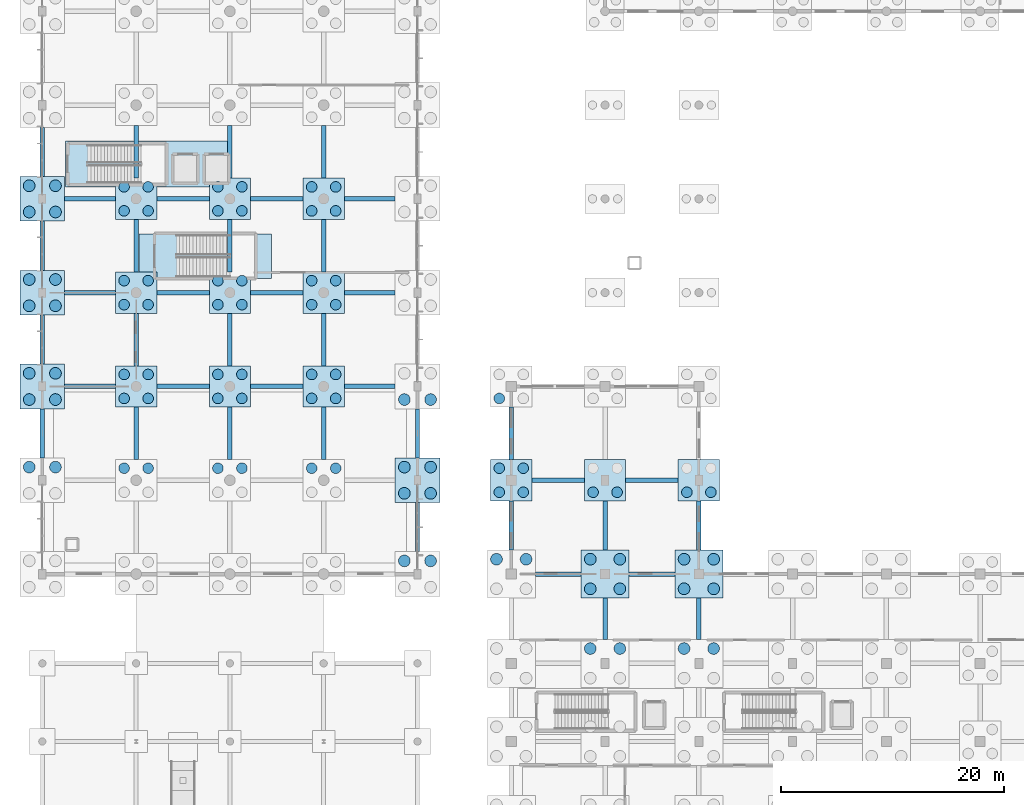
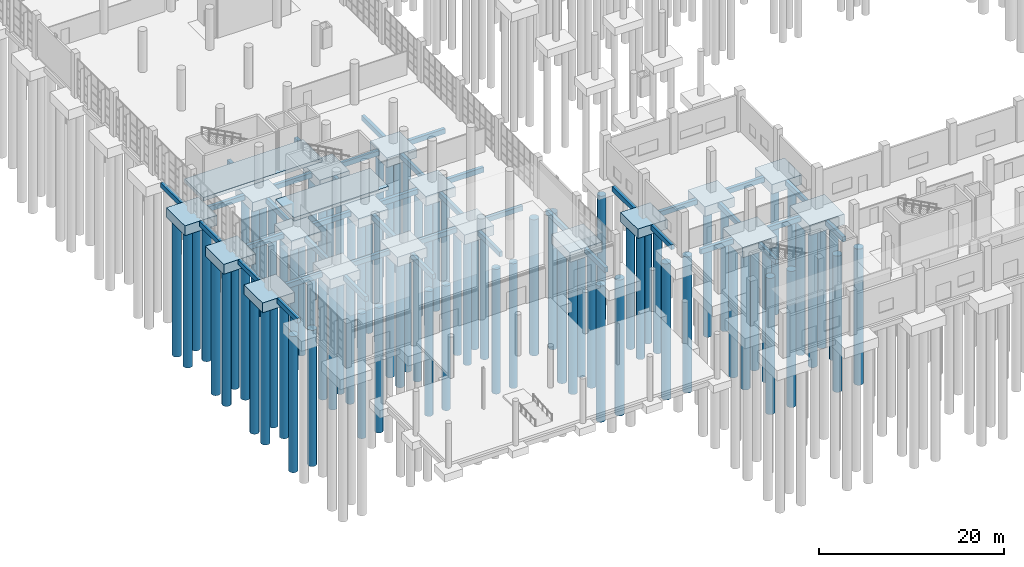
# One storey, part 2 of 83: 87 piles, 60 footings.
"""IFC4 building model written with IfcOpenShell, lengths in metres."""

from ifc_helpers import new_model, si_unit, direction, frame, origin, origin_2d, place, context, subcontext, project, spatial, rectangle, circle, extrude, material, material_profile, profile_set, type_object, element, save


model = new_model("IFC4")

# Units and contexts
model_context = context("Model", 3, precision=1e-05, world=origin(), true_north=direction((0.0, 1.0)))
body_context = subcontext(model_context, "Body", "Model", "MODEL_VIEW")
ifc_project = project(units=[si_unit("LENGTHUNIT", "METRE"), si_unit("AREAUNIT", "SQUARE_METRE"), si_unit("VOLUMEUNIT", "CUBIC_METRE"), si_unit("PLANEANGLEUNIT", "RADIAN"), si_unit("MASSUNIT", "GRAM", prefix="KILO"), si_unit("THERMODYNAMICTEMPERATUREUNIT", "KELVIN"), si_unit("POWERUNIT", "WATT")], contexts=[model_context])

# Site, building, storey
site_placement = place(None, origin())
site = spatial("IfcSite", under=ifc_project, at=site_placement, CompositionType="ELEMENT")
building_placement = place(site_placement, origin())
building = spatial("IfcBuilding", under=site, at=building_placement, Name="Mavoryth Pier Ferry Terminal", CompositionType="ELEMENT")
storey_placement = place(building_placement, origin())
storey = spatial("IfcBuildingStorey", under=building, at=storey_placement, Name="L00", CompositionType="ELEMENT", Elevation=0.0)

# Footings
ifc_material = material(Name="Concrete C35/45", Category="concrete")
footing_type_1 = type_object("IfcFootingType", Name="Cap-4P-3700x3700x1250", PredefinedType="PILE_CAP", material=ifc_material)
for number, where, z_axis, x_axis, name in (
    (1, (8.39990234375, 38.800048828125, -1.7099609375), (0.0, 0.0, 1.0), (1.0, 0.0, 0.0), "Foundation FD-V1-2-3"),
    (2, (8.39990234375, 47.199951171875, -1.7099609375), (0.0, 0.0, 1.0), (1.0, 0.0, 0.0), "Foundation FD-V1-2-4"),
    (3, (8.39990234375, 55.60009765625, -1.7099609375), (0.0, 0.0, 1.0), (1.0, 0.0, 0.0), "Foundation FD-V1-2-5"),
    (4, (16.800048828125, 38.800048828125, -1.7099609375), (0.0, 0.0, 1.0), (1.0, 0.0, 0.0), "Foundation FD-V1-3-3"),
    (5, (16.800048828125, 47.199951171875, -1.7099609375), (0.0, 0.0, 1.0), (1.0, 0.0, 0.0), "Foundation FD-V1-3-4"),
    (6, (16.800048828125, 55.60009765625, -1.7099609375), (0.0, 0.0, 1.0), (1.0, 0.0, 0.0), "Foundation FD-V1-3-5"),
    (7, (25.199951171875, 38.800048828125, -1.7099609375), (0.0, 0.0, 1.0), (1.0, 0.0, 0.0), "Foundation FD-V1-4-3"),
    (8, (25.199951171875, 47.199951171875, -1.7099609375), (0.0, 0.0, 1.0), (1.0, 0.0, 0.0), "Foundation FD-V1-4-4"),
    (9, (25.199951171875, 55.60009765625, -1.7099609375), (0.0, 0.0, 1.0), (1.0, 0.0, 0.0), "Foundation FD-V1-4-5"),
    (10, (42.0, 30.39990234375, -1.7099609375), (0.0, 0.0, 1.0), (1.0, 0.0, 0.0), "Foundation FD-V5-29"),
    (11, (50.39990234375, 30.39990234375, -1.7099609375), (0.0, 0.0, 1.0), (1.0, 0.0, 0.0), "Foundation FD-V5-31"),
    (12, (58.800048828125, 30.39990234375, -1.7099609375), (0.0, 0.0, 1.0), (1.0, 0.0, 0.0), "Foundation FD-V5-33"),
):
    element("IfcFooting", number, at=place(storey_placement, frame(where, z_axis=z_axis, x_axis=x_axis)), inside=storey, type_object=footing_type_1, Name=name, PredefinedType="PILE_CAP", context=body_context, shape_type="SweptSolid", body=[
        extrude(rectangle(XDim=3.699951171875, YDim=3.699951171875, at=origin_2d()), origin(), (0.0, 0.0, 1.0), 1.25),
    ])
footing_type_2 = type_object("IfcFootingType", Name="Cap-4P-4000x4000x1300", PredefinedType="PILE_CAP", material=ifc_material)
for number, where, z_axis, x_axis, name in (
    (13, (0.0, 38.800048828125, -1.76025390625), (0.0, 0.0, 1.0), (1.0, 0.0, 0.0), "Foundation FD-V1-1-3"),
    (14, (0.0, 47.199951171875, -1.76025390625), (0.0, 0.0, 1.0), (1.0, 0.0, 0.0), "Foundation FD-V1-1-4"),
    (15, (0.0, 55.60009765625, -1.76025390625), (0.0, 0.0, 1.0), (1.0, 0.0, 0.0), "Foundation FD-V1-1-5"),
    (16, (33.60009765625, 30.39990234375, -1.76025390625), (0.0, 0.0, 1.0), (1.0, 0.0, 0.0), "Foundation FD-V1-5-2"),
):
    element("IfcFooting", number, at=place(storey_placement, frame(where, z_axis=z_axis, x_axis=x_axis)), inside=storey, type_object=footing_type_2, Name=name, PredefinedType="PILE_CAP", context=body_context, shape_type="SweptSolid", body=[
        extrude(rectangle(XDim=4.0, YDim=4.0, at=origin_2d()), origin(), (0.0, 0.0, 1.0), 1.300048828125),
    ])
footing_type_3 = type_object("IfcFootingType", Name="Cap-4P-4300x4300x1350", PredefinedType="PILE_CAP", material=ifc_material)
for number, where, z_axis, x_axis, name in (
    (17, (50.39990234375, 22.0, -1.81005859375), (0.0, 0.0, 1.0), (1.0, 0.0, 0.0), "Foundation FD-V5-08"),
    (18, (58.800048828125, 22.0, -1.81005859375), (0.0, 0.0, 1.0), (1.0, 0.0, 0.0), "Foundation FD-V5-12"),
):
    element("IfcFooting", number, at=place(storey_placement, frame(where, z_axis=z_axis, x_axis=x_axis)), inside=storey, type_object=footing_type_3, Name=name, PredefinedType="PILE_CAP", context=body_context, shape_type="SweptSolid", body=[
        extrude(rectangle(XDim=4.300048828125, YDim=4.300048828125, at=origin_2d()), origin(), (0.0, 0.0, 1.0), 1.35009765625),
    ])
footing_type_4 = type_object("IfcFootingType", Name="Pad-CoreMat-11840x4000x460", PredefinedType="PAD_FOOTING", material=ifc_material)
footing_1_placement = place(storey_placement, frame((14.60009765625, 50.47509765625, -0.4599609375), z_axis=(0.0, 0.0, 1.0), x_axis=(1.0, 0.0, 0.0)))
element("IfcFooting", 19, at=footing_1_placement, inside=storey, type_object=footing_type_4, Name="Feature Stair Foundation Mat FS1", PredefinedType="PAD_FOOTING", context=body_context, shape_type="SweptSolid", body=[
    extrude(rectangle(XDim=11.840087890625, YDim=4.0, at=origin_2d()), origin(), (0.0, 0.0, 1.0), 0.4599609375),
])
footing_type_5 = type_object("IfcFootingType", Name="Pad-CoreMat-14840x4100x460", PredefinedType="PAD_FOOTING", material=ifc_material)
footing_2_placement = place(storey_placement, frame((9.5, 58.72509765625, -0.4599609375), z_axis=(0.0, 0.0, 1.0), x_axis=(1.0, 0.0, 0.0)))
element("IfcFooting", 20, at=footing_2_placement, inside=storey, type_object=footing_type_5, Name="Core Foundation Mat C1A", PredefinedType="PAD_FOOTING", context=body_context, shape_type="SweptSolid", body=[
    extrude(rectangle(XDim=14.840087890625, YDim=4.10009765625, at=origin_2d()), origin(), (0.0, 0.0, 1.0), 0.4599609375),
])

# Piles
ifc_material_profile_1 = material_profile(ifc_material, circle(Radius=0.52490234375, at=origin_2d()), Name="PILE D1050", Category="concrete")
ifc_profile_set_1 = profile_set([ifc_material_profile_1], Name="Concrete C35/45 - PILE D1050")
pile_type_1 = type_object("IfcPileType", Name="Pile-Bored-D1050", PredefinedType="BORED", material=ifc_profile_set_1)
for number, where, z_axis, x_axis, name in (
    (21, (-1.175048828125, 31.574951171875, -1.659912109375), (0.0, 0.0, -1.0), (1.0, 0.0, 0.0), "Bored Pile FD-V1-1-2-P3"),
    (22, (1.175048828125, 31.574951171875, -1.659912109375), (0.0, 0.0, -1.0), (1.0, 0.0, 0.0), "Bored Pile FD-V1-1-2-P4"),
    (23, (-1.175048828125, 37.625, -1.659912109375), (0.0, 0.0, -1.0), (1.0, 0.0, 0.0), "Bored Pile FD-V1-1-3-P1"),
    (24, (1.175048828125, 37.625, -1.659912109375), (0.0, 0.0, -1.0), (1.0, 0.0, 0.0), "Bored Pile FD-V1-1-3-P2"),
    (25, (-1.175048828125, 39.97509765625, -1.659912109375), (0.0, 0.0, -1.0), (1.0, 0.0, 0.0), "Bored Pile FD-V1-1-3-P3"),
    (26, (1.175048828125, 39.97509765625, -1.659912109375), (0.0, 0.0, -1.0), (1.0, 0.0, 0.0), "Bored Pile FD-V1-1-3-P4"),
    (27, (-1.175048828125, 46.02490234375, -1.659912109375), (0.0, 0.0, -1.0), (1.0, 0.0, 0.0), "Bored Pile FD-V1-1-4-P1"),
    (28, (1.175048828125, 46.02490234375, -1.659912109375), (0.0, 0.0, -1.0), (1.0, 0.0, 0.0), "Bored Pile FD-V1-1-4-P2"),
    (29, (-1.175048828125, 48.375, -1.659912109375), (0.0, 0.0, -1.0), (1.0, 0.0, 0.0), "Bored Pile FD-V1-1-4-P3"),
    (30, (1.175048828125, 48.375, -1.659912109375), (0.0, 0.0, -1.0), (1.0, 0.0, 0.0), "Bored Pile FD-V1-1-4-P4"),
    (31, (-1.175048828125, 54.425048828125, -1.659912109375), (0.0, 0.0, -1.0), (1.0, 0.0, 0.0), "Bored Pile FD-V1-1-5-P1"),
    (32, (1.175048828125, 54.425048828125, -1.659912109375), (0.0, 0.0, -1.0), (1.0, 0.0, 0.0), "Bored Pile FD-V1-1-5-P2"),
    (33, (-1.175048828125, 56.77490234375, -1.659912109375), (0.0, 0.0, -1.0), (1.0, 0.0, 0.0), "Bored Pile FD-V1-1-5-P3"),
    (34, (1.175048828125, 56.77490234375, -1.659912109375), (0.0, 0.0, -1.0), (1.0, 0.0, 0.0), "Bored Pile FD-V1-1-5-P4"),
    (35, (32.425048828125, 23.175048828125, -1.659912109375), (0.0, 0.0, -1.0), (1.0, 0.0, 0.0), "Bored Pile FD-V1-5-1-P3"),
    (36, (34.77490234375, 23.175048828125, -1.659912109375), (0.0, 0.0, -1.0), (1.0, 0.0, 0.0), "Bored Pile FD-V1-5-1-P4"),
    (37, (32.425048828125, 29.22509765625, -1.659912109375), (0.0, 0.0, -1.0), (1.0, 0.0, 0.0), "Bored Pile FD-V1-5-2-P1"),
    (38, (34.77490234375, 29.22509765625, -1.659912109375), (0.0, 0.0, -1.0), (1.0, 0.0, 0.0), "Bored Pile FD-V1-5-2-P2"),
    (39, (32.425048828125, 31.574951171875, -1.659912109375), (0.0, 0.0, -1.0), (1.0, 0.0, 0.0), "Bored Pile FD-V1-5-2-P3"),
    (40, (34.77490234375, 31.574951171875, -1.659912109375), (0.0, 0.0, -1.0), (1.0, 0.0, 0.0), "Bored Pile FD-V1-5-2-P4"),
    (41, (32.425048828125, 37.625, -1.659912109375), (0.0, 0.0, -1.0), (1.0, 0.0, 0.0), "Bored Pile FD-V1-5-3-P1"),
    (42, (34.77490234375, 37.625, -1.659912109375), (0.0, 0.0, -1.0), (1.0, 0.0, 0.0), "Bored Pile FD-V1-5-3-P2"),
    (43, (40.675048828125, 23.324951171875, -1.7099609375), (0.0, 0.0, -1.0), (1.0, 0.0, 0.0), "Bored Pile FD-V5-04-P3"),
    (44, (43.324951171875, 23.324951171875, -1.7099609375), (0.0, 0.0, -1.0), (1.0, 0.0, 0.0), "Bored Pile FD-V5-04-P4"),
    (45, (49.074951171875, 15.324951171875, -1.7099609375), (0.0, 0.0, -1.0), (1.0, 0.0, 0.0), "Bored Pile FD-V5-07-P3"),
    (46, (51.72509765625, 15.324951171875, -1.7099609375), (0.0, 0.0, -1.0), (1.0, 0.0, 0.0), "Bored Pile FD-V5-07-P4"),
    (47, (49.074951171875, 20.675048828125, -1.7099609375), (0.0, 0.0, -1.0), (1.0, 0.0, 0.0), "Bored Pile FD-V5-08-P1"),
    (48, (51.72509765625, 20.675048828125, -1.7099609375), (0.0, 0.0, -1.0), (1.0, 0.0, 0.0), "Bored Pile FD-V5-08-P2"),
    (49, (49.074951171875, 23.324951171875, -1.7099609375), (0.0, 0.0, -1.0), (1.0, 0.0, 0.0), "Bored Pile FD-V5-08-P3"),
    (50, (51.72509765625, 23.324951171875, -1.7099609375), (0.0, 0.0, -1.0), (1.0, 0.0, 0.0), "Bored Pile FD-V5-08-P4"),
    (51, (57.47509765625, 15.324951171875, -1.7099609375), (0.0, 0.0, -1.0), (1.0, 0.0, 0.0), "Bored Pile FD-V5-11-P3"),
    (52, (60.125, 15.324951171875, -1.7099609375), (0.0, 0.0, -1.0), (1.0, 0.0, 0.0), "Bored Pile FD-V5-11-P4"),
    (53, (57.47509765625, 20.675048828125, -1.7099609375), (0.0, 0.0, -1.0), (1.0, 0.0, 0.0), "Bored Pile FD-V5-12-P1"),
    (54, (60.125, 20.675048828125, -1.7099609375), (0.0, 0.0, -1.0), (1.0, 0.0, 0.0), "Bored Pile FD-V5-12-P2"),
    (55, (57.47509765625, 23.324951171875, -1.7099609375), (0.0, 0.0, -1.0), (1.0, 0.0, 0.0), "Bored Pile FD-V5-12-P3"),
    (56, (60.125, 23.324951171875, -1.7099609375), (0.0, 0.0, -1.0), (1.0, 0.0, 0.0), "Bored Pile FD-V5-12-P4"),
):
    element("IfcPile", number, at=place(storey_placement, frame(where, z_axis=z_axis, x_axis=x_axis)), inside=storey, type_object=pile_type_1, Name=name, PredefinedType="BORED", context=body_context, shape_type="SweptSolid", body=[
        extrude(circle(Radius=0.52490234375, at=origin_2d()), origin(), (0.0, 0.0, 1.0), 18.0),
    ])
ifc_material_profile_2 = material_profile(ifc_material, circle(Radius=0.47509765625, at=origin_2d()), Name="PILE D950", Category="concrete")
ifc_profile_set_2 = profile_set([ifc_material_profile_2], Name="Concrete C35/45 - PILE D950")
pile_type_2 = type_object("IfcPileType", Name="Pile-Bored-D950", PredefinedType="BORED", material=ifc_profile_set_2)
for number, where, z_axis, x_axis, name in (
    (57, (7.324951171875, 31.47509765625, -1.610107421875), (0.0, 0.0, -1.0), (1.0, 0.0, 0.0), "Bored Pile FD-V1-2-2-P3"),
    (58, (9.47509765625, 31.47509765625, -1.610107421875), (0.0, 0.0, -1.0), (1.0, 0.0, 0.0), "Bored Pile FD-V1-2-2-P4"),
    (59, (7.324951171875, 37.72509765625, -1.610107421875), (0.0, 0.0, -1.0), (1.0, 0.0, 0.0), "Bored Pile FD-V1-2-3-P1"),
    (60, (9.47509765625, 37.72509765625, -1.610107421875), (0.0, 0.0, -1.0), (1.0, 0.0, 0.0), "Bored Pile FD-V1-2-3-P2"),
    (61, (7.324951171875, 39.875, -1.610107421875), (0.0, 0.0, -1.0), (1.0, 0.0, 0.0), "Bored Pile FD-V1-2-3-P3"),
    (62, (9.47509765625, 39.875, -1.610107421875), (0.0, 0.0, -1.0), (1.0, 0.0, 0.0), "Bored Pile FD-V1-2-3-P4"),
    (63, (7.324951171875, 46.125, -1.610107421875), (0.0, 0.0, -1.0), (1.0, 0.0, 0.0), "Bored Pile FD-V1-2-4-P1"),
    (64, (9.47509765625, 46.125, -1.610107421875), (0.0, 0.0, -1.0), (1.0, 0.0, 0.0), "Bored Pile FD-V1-2-4-P2"),
    (65, (7.324951171875, 48.27490234375, -1.610107421875), (0.0, 0.0, -1.0), (1.0, 0.0, 0.0), "Bored Pile FD-V1-2-4-P3"),
    (66, (9.47509765625, 48.27490234375, -1.610107421875), (0.0, 0.0, -1.0), (1.0, 0.0, 0.0), "Bored Pile FD-V1-2-4-P4"),
    (67, (7.324951171875, 54.52490234375, -1.610107421875), (0.0, 0.0, -1.0), (1.0, 0.0, 0.0), "Bored Pile FD-V1-2-5-P1"),
    (68, (9.47509765625, 54.52490234375, -1.610107421875), (0.0, 0.0, -1.0), (1.0, 0.0, 0.0), "Bored Pile FD-V1-2-5-P2"),
    (69, (7.324951171875, 56.675048828125, -1.610107421875), (0.0, 0.0, -1.0), (1.0, 0.0, 0.0), "Bored Pile FD-V1-2-5-P3"),
    (70, (9.47509765625, 56.675048828125, -1.610107421875), (0.0, 0.0, -1.0), (1.0, 0.0, 0.0), "Bored Pile FD-V1-2-5-P4"),
    (71, (15.72509765625, 31.47509765625, -1.610107421875), (0.0, 0.0, -1.0), (1.0, 0.0, 0.0), "Bored Pile FD-V1-3-2-P3"),
    (72, (17.875, 31.47509765625, -1.610107421875), (0.0, 0.0, -1.0), (1.0, 0.0, 0.0), "Bored Pile FD-V1-3-2-P4"),
    (73, (15.72509765625, 37.72509765625, -1.610107421875), (0.0, 0.0, -1.0), (1.0, 0.0, 0.0), "Bored Pile FD-V1-3-3-P1"),
    (74, (17.875, 37.72509765625, -1.610107421875), (0.0, 0.0, -1.0), (1.0, 0.0, 0.0), "Bored Pile FD-V1-3-3-P2"),
    (75, (15.72509765625, 39.875, -1.610107421875), (0.0, 0.0, -1.0), (1.0, 0.0, 0.0), "Bored Pile FD-V1-3-3-P3"),
    (76, (17.875, 39.875, -1.610107421875), (0.0, 0.0, -1.0), (1.0, 0.0, 0.0), "Bored Pile FD-V1-3-3-P4"),
    (77, (15.72509765625, 46.125, -1.610107421875), (0.0, 0.0, -1.0), (1.0, 0.0, 0.0), "Bored Pile FD-V1-3-4-P1"),
    (78, (17.875, 46.125, -1.610107421875), (0.0, 0.0, -1.0), (1.0, 0.0, 0.0), "Bored Pile FD-V1-3-4-P2"),
    (79, (15.72509765625, 48.27490234375, -1.610107421875), (0.0, 0.0, -1.0), (1.0, 0.0, 0.0), "Bored Pile FD-V1-3-4-P3"),
    (80, (17.875, 48.27490234375, -1.610107421875), (0.0, 0.0, -1.0), (1.0, 0.0, 0.0), "Bored Pile FD-V1-3-4-P4"),
    (81, (15.72509765625, 54.52490234375, -1.610107421875), (0.0, 0.0, -1.0), (1.0, 0.0, 0.0), "Bored Pile FD-V1-3-5-P1"),
    (82, (17.875, 54.52490234375, -1.610107421875), (0.0, 0.0, -1.0), (1.0, 0.0, 0.0), "Bored Pile FD-V1-3-5-P2"),
    (83, (15.72509765625, 56.675048828125, -1.610107421875), (0.0, 0.0, -1.0), (1.0, 0.0, 0.0), "Bored Pile FD-V1-3-5-P3"),
    (84, (17.875, 56.675048828125, -1.610107421875), (0.0, 0.0, -1.0), (1.0, 0.0, 0.0), "Bored Pile FD-V1-3-5-P4"),
    (85, (24.125, 31.47509765625, -1.610107421875), (0.0, 0.0, -1.0), (1.0, 0.0, 0.0), "Bored Pile FD-V1-4-2-P3"),
    (86, (26.27490234375, 31.47509765625, -1.610107421875), (0.0, 0.0, -1.0), (1.0, 0.0, 0.0), "Bored Pile FD-V1-4-2-P4"),
    (87, (24.125, 37.72509765625, -1.610107421875), (0.0, 0.0, -1.0), (1.0, 0.0, 0.0), "Bored Pile FD-V1-4-3-P1"),
    (88, (26.27490234375, 37.72509765625, -1.610107421875), (0.0, 0.0, -1.0), (1.0, 0.0, 0.0), "Bored Pile FD-V1-4-3-P2"),
    (89, (24.125, 39.875, -1.610107421875), (0.0, 0.0, -1.0), (1.0, 0.0, 0.0), "Bored Pile FD-V1-4-3-P3"),
    (90, (26.27490234375, 39.875, -1.610107421875), (0.0, 0.0, -1.0), (1.0, 0.0, 0.0), "Bored Pile FD-V1-4-3-P4"),
    (91, (24.125, 46.125, -1.610107421875), (0.0, 0.0, -1.0), (1.0, 0.0, 0.0), "Bored Pile FD-V1-4-4-P1"),
    (92, (26.27490234375, 46.125, -1.610107421875), (0.0, 0.0, -1.0), (1.0, 0.0, 0.0), "Bored Pile FD-V1-4-4-P2"),
    (93, (24.125, 48.27490234375, -1.610107421875), (0.0, 0.0, -1.0), (1.0, 0.0, 0.0), "Bored Pile FD-V1-4-4-P3"),
    (94, (26.27490234375, 48.27490234375, -1.610107421875), (0.0, 0.0, -1.0), (1.0, 0.0, 0.0), "Bored Pile FD-V1-4-4-P4"),
    (95, (24.125, 54.52490234375, -1.610107421875), (0.0, 0.0, -1.0), (1.0, 0.0, 0.0), "Bored Pile FD-V1-4-5-P1"),
    (96, (26.27490234375, 54.52490234375, -1.610107421875), (0.0, 0.0, -1.0), (1.0, 0.0, 0.0), "Bored Pile FD-V1-4-5-P2"),
    (97, (24.125, 56.675048828125, -1.610107421875), (0.0, 0.0, -1.0), (1.0, 0.0, 0.0), "Bored Pile FD-V1-4-5-P3"),
    (98, (26.27490234375, 56.675048828125, -1.610107421875), (0.0, 0.0, -1.0), (1.0, 0.0, 0.0), "Bored Pile FD-V1-4-5-P4"),
    (99, (40.925048828125, 29.324951171875, -1.610107421875), (0.0, 0.0, -1.0), (1.0, 0.0, 0.0), "Bored Pile FD-V5-29-P1"),
    (100, (43.074951171875, 29.324951171875, -1.610107421875), (0.0, 0.0, -1.0), (1.0, 0.0, 0.0), "Bored Pile FD-V5-29-P2"),
    (101, (40.925048828125, 31.47509765625, -1.610107421875), (0.0, 0.0, -1.0), (1.0, 0.0, 0.0), "Bored Pile FD-V5-29-P3"),
    (102, (43.074951171875, 31.47509765625, -1.610107421875), (0.0, 0.0, -1.0), (1.0, 0.0, 0.0), "Bored Pile FD-V5-29-P4"),
    (103, (40.925048828125, 37.72509765625, -1.610107421875), (0.0, 0.0, -1.0), (1.0, 0.0, 0.0), "Bored Pile FD-V5-30-P1"),
    (104, (49.324951171875, 29.324951171875, -1.610107421875), (0.0, 0.0, -1.0), (1.0, 0.0, 0.0), "Bored Pile FD-V5-31-P1"),
    (105, (51.47509765625, 29.324951171875, -1.610107421875), (0.0, 0.0, -1.0), (1.0, 0.0, 0.0), "Bored Pile FD-V5-31-P2"),
    (106, (57.72509765625, 29.324951171875, -1.610107421875), (0.0, 0.0, -1.0), (1.0, 0.0, 0.0), "Bored Pile FD-V5-33-P1"),
    (107, (59.875, 29.324951171875, -1.610107421875), (0.0, 0.0, -1.0), (1.0, 0.0, 0.0), "Bored Pile FD-V5-33-P2"),
):
    element("IfcPile", number, at=place(storey_placement, frame(where, z_axis=z_axis, x_axis=x_axis)), inside=storey, type_object=pile_type_2, Name=name, PredefinedType="BORED", context=body_context, shape_type="SweptSolid", body=[
        extrude(circle(Radius=0.47509765625, at=origin_2d()), origin(), (0.0, 0.0, 1.0), 16.5),
    ])

# Footings
ifc_material_profile_3 = material_profile(ifc_material, rectangle(XDim=0.39990234375, YDim=0.64990234375, at=origin_2d()), Name="RC 400x650", Category="concrete")
ifc_profile_set_3 = profile_set([ifc_material_profile_3], Name="Concrete C35/45 - RC 400x650")
footing_type_6 = type_object("IfcFootingType", Name="TieBeam-RC-400x650", PredefinedType="FOOTING_BEAM", material=ifc_profile_set_3)
footing_3_placement = place(storey_placement, frame((2.0, 38.800048828125, -0.784912109375), z_axis=(1.0, 0.0, 0.0), x_axis=(0.0, 1.0, 0.0)))
element("IfcFooting", 108, at=footing_3_placement, inside=storey, type_object=footing_type_6, Name="Footing Tie Beam 31", PredefinedType="FOOTING_BEAM", context=body_context, shape_type="SweptSolid", body=[
    extrude(rectangle(XDim=0.39990234375, YDim=0.64990234375, at=origin_2d()), origin(), (0.0, 0.0, 1.0), 4.550048828125),
])
footing_4_placement = place(storey_placement, frame((10.25, 38.800048828125, -0.784912109375), z_axis=(1.0, 0.0, 0.0), x_axis=(0.0, 1.0, 0.0)))
element("IfcFooting", 109, at=footing_4_placement, inside=storey, type_object=footing_type_6, Name="Footing Tie Beam 32", PredefinedType="FOOTING_BEAM", context=body_context, shape_type="SweptSolid", body=[
    extrude(rectangle(XDim=0.39990234375, YDim=0.64990234375, at=origin_2d()), origin(), (0.0, 0.0, 1.0), 4.699951171875),
])
footing_5_placement = place(storey_placement, frame((18.64990234375, 38.800048828125, -0.784912109375), z_axis=(1.0, 0.0, 0.0), x_axis=(0.0, 1.0, 0.0)))
element("IfcFooting", 110, at=footing_5_placement, inside=storey, type_object=footing_type_6, Name="Footing Tie Beam 33", PredefinedType="FOOTING_BEAM", context=body_context, shape_type="SweptSolid", body=[
    extrude(rectangle(XDim=0.39990234375, YDim=0.64990234375, at=origin_2d()), origin(), (0.0, 0.0, 1.0), 4.7001953125),
])
for number, where, z_axis, x_axis, name in (
    (111, (27.050048828125, 38.800048828125, -0.784912109375), (1.0, 0.0, 0.0), (0.0, 1.0, 0.0), "Footing Tie Beam 34"),
    (112, (2.0, 47.199951171875, -0.784912109375), (1.0, 0.0, 0.0), (0.0, 1.0, 0.0), "Footing Tie Beam 35"),
):
    element("IfcFooting", number, at=place(storey_placement, frame(where, z_axis=z_axis, x_axis=x_axis)), inside=storey, type_object=footing_type_6, Name=name, PredefinedType="FOOTING_BEAM", context=body_context, shape_type="SweptSolid", body=[
        extrude(rectangle(XDim=0.39990234375, YDim=0.64990234375, at=origin_2d()), origin(), (0.0, 0.0, 1.0), 4.550048828125),
    ])
footing_6_placement = place(storey_placement, frame((10.25, 47.199951171875, -0.784912109375), z_axis=(1.0, 0.0, 0.0), x_axis=(0.0, 1.0, 0.0)))
element("IfcFooting", 113, at=footing_6_placement, inside=storey, type_object=footing_type_6, Name="Footing Tie Beam 36", PredefinedType="FOOTING_BEAM", context=body_context, shape_type="SweptSolid", body=[
    extrude(rectangle(XDim=0.39990234375, YDim=0.64990234375, at=origin_2d()), origin(), (0.0, 0.0, 1.0), 4.699951171875),
])
footing_7_placement = place(storey_placement, frame((18.64990234375, 47.199951171875, -0.784912109375), z_axis=(1.0, 0.0, 0.0), x_axis=(0.0, 1.0, 0.0)))
element("IfcFooting", 114, at=footing_7_placement, inside=storey, type_object=footing_type_6, Name="Footing Tie Beam 37", PredefinedType="FOOTING_BEAM", context=body_context, shape_type="SweptSolid", body=[
    extrude(rectangle(XDim=0.39990234375, YDim=0.64990234375, at=origin_2d()), origin(), (0.0, 0.0, 1.0), 4.7001953125),
])
for number, where, z_axis, x_axis, name in (
    (115, (27.050048828125, 47.199951171875, -0.784912109375), (1.0, 0.0, 0.0), (0.0, 1.0, 0.0), "Footing Tie Beam 38"),
    (116, (2.0, 55.60009765625, -0.784912109375), (1.0, 0.0, 0.0), (0.0, 1.0, 0.0), "Footing Tie Beam 39"),
):
    element("IfcFooting", number, at=place(storey_placement, frame(where, z_axis=z_axis, x_axis=x_axis)), inside=storey, type_object=footing_type_6, Name=name, PredefinedType="FOOTING_BEAM", context=body_context, shape_type="SweptSolid", body=[
        extrude(rectangle(XDim=0.39990234375, YDim=0.64990234375, at=origin_2d()), origin(), (0.0, 0.0, 1.0), 4.550048828125),
    ])
footing_8_placement = place(storey_placement, frame((10.25, 55.60009765625, -0.784912109375), z_axis=(1.0, 0.0, 0.0), x_axis=(0.0, 1.0, 0.0)))
element("IfcFooting", 117, at=footing_8_placement, inside=storey, type_object=footing_type_6, Name="Footing Tie Beam 40", PredefinedType="FOOTING_BEAM", context=body_context, shape_type="SweptSolid", body=[
    extrude(rectangle(XDim=0.39990234375, YDim=0.64990234375, at=origin_2d()), origin(), (0.0, 0.0, 1.0), 4.699951171875),
])
footing_9_placement = place(storey_placement, frame((18.64990234375, 55.60009765625, -0.784912109375), z_axis=(1.0, 0.0, 0.0), x_axis=(0.0, 1.0, 0.0)))
element("IfcFooting", 118, at=footing_9_placement, inside=storey, type_object=footing_type_6, Name="Footing Tie Beam 41", PredefinedType="FOOTING_BEAM", context=body_context, shape_type="SweptSolid", body=[
    extrude(rectangle(XDim=0.39990234375, YDim=0.64990234375, at=origin_2d()), origin(), (0.0, 0.0, 1.0), 4.7001953125),
])
footing_10_placement = place(storey_placement, frame((27.050048828125, 55.60009765625, -0.784912109375), z_axis=(1.0, 0.0, 0.0), x_axis=(0.0, 1.0, 0.0)))
element("IfcFooting", 119, at=footing_10_placement, inside=storey, type_object=footing_type_6, Name="Footing Tie Beam 42", PredefinedType="FOOTING_BEAM", context=body_context, shape_type="SweptSolid", body=[
    extrude(rectangle(XDim=0.39990234375, YDim=0.64990234375, at=origin_2d()), origin(), (0.0, 0.0, 1.0), 4.550048828125),
])
footing_11_placement = place(storey_placement, frame((0.0, 32.39990234375, -0.784912109375), z_axis=(0.0, 1.0, 0.0), x_axis=(-1.0, 0.0, 0.0)))
element("IfcFooting", 120, at=footing_11_placement, inside=storey, type_object=footing_type_6, Name="Footing Tie Beam 72", PredefinedType="FOOTING_BEAM", context=body_context, shape_type="SweptSolid", body=[
    extrude(rectangle(XDim=0.39990234375, YDim=0.64990234375, at=origin_2d()), origin(), (0.0, 0.0, 1.0), 4.400146484375),
])
footing_12_placement = place(storey_placement, frame((0.0, 40.800048828125, -0.784912109375), z_axis=(0.0, 1.0, 0.0), x_axis=(-1.0, 0.0, 0.0)))
element("IfcFooting", 121, at=footing_12_placement, inside=storey, type_object=footing_type_6, Name="Footing Tie Beam 73", PredefinedType="FOOTING_BEAM", context=body_context, shape_type="SweptSolid", body=[
    extrude(rectangle(XDim=0.39990234375, YDim=0.64990234375, at=origin_2d()), origin(), (0.0, 0.0, 1.0), 4.39990234375),
])
footing_13_placement = place(storey_placement, frame((0.0, 49.199951171875, -0.784912109375), z_axis=(0.0, 1.0, 0.0), x_axis=(-1.0, 0.0, 0.0)))
element("IfcFooting", 122, at=footing_13_placement, inside=storey, type_object=footing_type_6, Name="Footing Tie Beam 74", PredefinedType="FOOTING_BEAM", context=body_context, shape_type="SweptSolid", body=[
    extrude(rectangle(XDim=0.39990234375, YDim=0.64990234375, at=origin_2d()), origin(), (0.0, 0.0, 1.0), 4.400146484375),
])
footing_14_placement = place(storey_placement, frame((0.0, 57.60009765625, -0.784912109375), z_axis=(0.0, 1.0, 0.0), x_axis=(-1.0, 0.0, 0.0)))
element("IfcFooting", 123, at=footing_14_placement, inside=storey, type_object=footing_type_6, Name="Footing Tie Beam 75", PredefinedType="FOOTING_BEAM", context=body_context, shape_type="SweptSolid", body=[
    extrude(rectangle(XDim=0.39990234375, YDim=0.64990234375, at=origin_2d()), origin(), (0.0, 0.0, 1.0), 4.39990234375),
])
footing_15_placement = place(storey_placement, frame((8.39990234375, 32.25, -0.784912109375), z_axis=(0.0, 1.0, 0.0), x_axis=(-1.0, 0.0, 0.0)))
element("IfcFooting", 124, at=footing_15_placement, inside=storey, type_object=footing_type_6, Name="Footing Tie Beam 83", PredefinedType="FOOTING_BEAM", context=body_context, shape_type="SweptSolid", body=[
    extrude(rectangle(XDim=0.39990234375, YDim=0.64990234375, at=origin_2d()), origin(), (0.0, 0.0, 1.0), 4.699951171875),
])
footing_16_placement = place(storey_placement, frame((8.39990234375, 40.64990234375, -0.784912109375), z_axis=(0.0, 1.0, 0.0), x_axis=(-1.0, 0.0, 0.0)))
element("IfcFooting", 125, at=footing_16_placement, inside=storey, type_object=footing_type_6, Name="Footing Tie Beam 84", PredefinedType="FOOTING_BEAM", context=body_context, shape_type="SweptSolid", body=[
    extrude(rectangle(XDim=0.39990234375, YDim=0.64990234375, at=origin_2d()), origin(), (0.0, 0.0, 1.0), 4.7001953125),
])
for number, where, z_axis, x_axis, name in (
    (126, (8.39990234375, 49.050048828125, -0.784912109375), (0.0, 1.0, 0.0), (-1.0, 0.0, 0.0), "Footing Tie Beam 85"),
    (127, (8.39990234375, 57.449951171875, -0.784912109375), (0.0, 1.0, 0.0), (-1.0, 0.0, 0.0), "Footing Tie Beam 86"),
    (128, (16.800048828125, 32.25, -0.784912109375), (0.0, 1.0, 0.0), (-1.0, 0.0, 0.0), "Footing Tie Beam 94"),
):
    element("IfcFooting", number, at=place(storey_placement, frame(where, z_axis=z_axis, x_axis=x_axis)), inside=storey, type_object=footing_type_6, Name=name, PredefinedType="FOOTING_BEAM", context=body_context, shape_type="SweptSolid", body=[
        extrude(rectangle(XDim=0.39990234375, YDim=0.64990234375, at=origin_2d()), origin(), (0.0, 0.0, 1.0), 4.699951171875),
    ])
footing_17_placement = place(storey_placement, frame((16.800048828125, 40.64990234375, -0.784912109375), z_axis=(0.0, 1.0, 0.0), x_axis=(-1.0, 0.0, 0.0)))
element("IfcFooting", 129, at=footing_17_placement, inside=storey, type_object=footing_type_6, Name="Footing Tie Beam 95", PredefinedType="FOOTING_BEAM", context=body_context, shape_type="SweptSolid", body=[
    extrude(rectangle(XDim=0.39990234375, YDim=0.64990234375, at=origin_2d()), origin(), (0.0, 0.0, 1.0), 4.7001953125),
])
for number, where, z_axis, x_axis, name in (
    (130, (16.800048828125, 49.050048828125, -0.784912109375), (0.0, 1.0, 0.0), (-1.0, 0.0, 0.0), "Footing Tie Beam 96"),
    (131, (16.800048828125, 57.449951171875, -0.784912109375), (0.0, 1.0, 0.0), (-1.0, 0.0, 0.0), "Footing Tie Beam 97"),
    (132, (25.199951171875, 32.25, -0.784912109375), (0.0, 1.0, 0.0), (-1.0, 0.0, 0.0), "Footing Tie Beam 105"),
):
    element("IfcFooting", number, at=place(storey_placement, frame(where, z_axis=z_axis, x_axis=x_axis)), inside=storey, type_object=footing_type_6, Name=name, PredefinedType="FOOTING_BEAM", context=body_context, shape_type="SweptSolid", body=[
        extrude(rectangle(XDim=0.39990234375, YDim=0.64990234375, at=origin_2d()), origin(), (0.0, 0.0, 1.0), 4.699951171875),
    ])
footing_18_placement = place(storey_placement, frame((25.199951171875, 40.64990234375, -0.784912109375), z_axis=(0.0, 1.0, 0.0), x_axis=(-1.0, 0.0, 0.0)))
element("IfcFooting", 133, at=footing_18_placement, inside=storey, type_object=footing_type_6, Name="Footing Tie Beam 106", PredefinedType="FOOTING_BEAM", context=body_context, shape_type="SweptSolid", body=[
    extrude(rectangle(XDim=0.39990234375, YDim=0.64990234375, at=origin_2d()), origin(), (0.0, 0.0, 1.0), 4.7001953125),
])
for number, where, z_axis, x_axis, name in (
    (134, (25.199951171875, 49.050048828125, -0.784912109375), (0.0, 1.0, 0.0), (-1.0, 0.0, 0.0), "Footing Tie Beam 107"),
    (135, (25.199951171875, 57.449951171875, -0.784912109375), (0.0, 1.0, 0.0), (-1.0, 0.0, 0.0), "Footing Tie Beam 108"),
):
    element("IfcFooting", number, at=place(storey_placement, frame(where, z_axis=z_axis, x_axis=x_axis)), inside=storey, type_object=footing_type_6, Name=name, PredefinedType="FOOTING_BEAM", context=body_context, shape_type="SweptSolid", body=[
        extrude(rectangle(XDim=0.39990234375, YDim=0.64990234375, at=origin_2d()), origin(), (0.0, 0.0, 1.0), 4.699951171875),
    ])
footing_19_placement = place(storey_placement, frame((33.60009765625, 24.0, -0.784912109375), z_axis=(0.0, 1.0, 0.0), x_axis=(-1.0, 0.0, 0.0)))
element("IfcFooting", 136, at=footing_19_placement, inside=storey, type_object=footing_type_6, Name="Footing Tie Beam 115", PredefinedType="FOOTING_BEAM", context=body_context, shape_type="SweptSolid", body=[
    extrude(rectangle(XDim=0.39990234375, YDim=0.64990234375, at=origin_2d()), origin(), (0.0, 0.0, 1.0), 4.39990234375),
])
footing_20_placement = place(storey_placement, frame((33.60009765625, 32.39990234375, -0.784912109375), z_axis=(0.0, 1.0, 0.0), x_axis=(-1.0, 0.0, 0.0)))
element("IfcFooting", 137, at=footing_20_placement, inside=storey, type_object=footing_type_6, Name="Footing Tie Beam 116", PredefinedType="FOOTING_BEAM", context=body_context, shape_type="SweptSolid", body=[
    extrude(rectangle(XDim=0.39990234375, YDim=0.64990234375, at=origin_2d()), origin(), (0.0, 0.0, 1.0), 4.400146484375),
])
footing_21_placement = place(storey_placement, frame((44.14990234375, 22.0, -0.784912109375), z_axis=(1.0, 0.0, 0.0), x_axis=(0.0, 1.0, 0.0)))
element("IfcFooting", 138, at=footing_21_placement, inside=storey, type_object=footing_type_6, Name="Footing Tie Beam 337", PredefinedType="FOOTING_BEAM", context=body_context, shape_type="SweptSolid", body=[
    extrude(rectangle(XDim=0.39990234375, YDim=0.64990234375, at=origin_2d()), origin(), (0.0, 0.0, 1.0), 4.10009765625),
])
footing_22_placement = place(storey_placement, frame((52.550048828125, 22.0, -0.784912109375), z_axis=(1.0, 0.0, 0.0), x_axis=(0.0, 1.0, 0.0)))
element("IfcFooting", 139, at=footing_22_placement, inside=storey, type_object=footing_type_6, Name="Footing Tie Beam 338", PredefinedType="FOOTING_BEAM", context=body_context, shape_type="SweptSolid", body=[
    extrude(rectangle(XDim=0.39990234375, YDim=0.64990234375, at=origin_2d()), origin(), (0.0, 0.0, 1.0), 4.099853515625),
])
for number, where, z_axis, x_axis, name in (
    (140, (43.85009765625, 30.39990234375, -0.784912109375), (1.0, 0.0, 0.0), (0.0, 1.0, 0.0), "Footing Tie Beam 343"),
    (141, (52.25, 30.39990234375, -0.784912109375), (1.0, 0.0, 0.0), (0.0, 1.0, 0.0), "Footing Tie Beam 344"),
):
    element("IfcFooting", number, at=place(storey_placement, frame(where, z_axis=z_axis, x_axis=x_axis)), inside=storey, type_object=footing_type_6, Name=name, PredefinedType="FOOTING_BEAM", context=body_context, shape_type="SweptSolid", body=[
        extrude(rectangle(XDim=0.39990234375, YDim=0.64990234375, at=origin_2d()), origin(), (0.0, 0.0, 1.0), 4.699951171875),
    ])
footing_23_placement = place(storey_placement, frame((42.0, 24.14990234375, -0.784912109375), z_axis=(0.0, 1.0, 0.0), x_axis=(-1.0, 0.0, 0.0)))
element("IfcFooting", 142, at=footing_23_placement, inside=storey, type_object=footing_type_6, Name="Footing Tie Beam 350", PredefinedType="FOOTING_BEAM", context=body_context, shape_type="SweptSolid", body=[
    extrude(rectangle(XDim=0.39990234375, YDim=0.64990234375, at=origin_2d()), origin(), (0.0, 0.0, 1.0), 4.400146484375),
])
footing_24_placement = place(storey_placement, frame((42.0, 32.25, -0.784912109375), z_axis=(0.0, 1.0, 0.0), x_axis=(-1.0, 0.0, 0.0)))
element("IfcFooting", 143, at=footing_24_placement, inside=storey, type_object=footing_type_6, Name="Footing Tie Beam 351", PredefinedType="FOOTING_BEAM", context=body_context, shape_type="SweptSolid", body=[
    extrude(rectangle(XDim=0.39990234375, YDim=0.64990234375, at=origin_2d()), origin(), (0.0, 0.0, 1.0), 4.699951171875),
])
footing_25_placement = place(storey_placement, frame((50.39990234375, 16.14990234375, -0.784912109375), z_axis=(0.0, 1.0, 0.0), x_axis=(-1.0, 0.0, 0.0)))
element("IfcFooting", 144, at=footing_25_placement, inside=storey, type_object=footing_type_6, Name="Footing Tie Beam 354", PredefinedType="FOOTING_BEAM", context=body_context, shape_type="SweptSolid", body=[
    extrude(rectangle(XDim=0.39990234375, YDim=0.64990234375, at=origin_2d()), origin(), (0.0, 0.0, 1.0), 3.7001953125),
])
footing_26_placement = place(storey_placement, frame((50.39990234375, 24.14990234375, -0.784912109375), z_axis=(0.0, 1.0, 0.0), x_axis=(-1.0, 0.0, 0.0)))
element("IfcFooting", 145, at=footing_26_placement, inside=storey, type_object=footing_type_6, Name="Footing Tie Beam 355", PredefinedType="FOOTING_BEAM", context=body_context, shape_type="SweptSolid", body=[
    extrude(rectangle(XDim=0.39990234375, YDim=0.64990234375, at=origin_2d()), origin(), (0.0, 0.0, 1.0), 4.400146484375),
])
footing_27_placement = place(storey_placement, frame((58.800048828125, 16.14990234375, -0.784912109375), z_axis=(0.0, 1.0, 0.0), x_axis=(-1.0, 0.0, 0.0)))
element("IfcFooting", 146, at=footing_27_placement, inside=storey, type_object=footing_type_6, Name="Footing Tie Beam 359", PredefinedType="FOOTING_BEAM", context=body_context, shape_type="SweptSolid", body=[
    extrude(rectangle(XDim=0.39990234375, YDim=0.64990234375, at=origin_2d()), origin(), (0.0, 0.0, 1.0), 3.7001953125),
])
footing_28_placement = place(storey_placement, frame((58.800048828125, 24.14990234375, -0.784912109375), z_axis=(0.0, 1.0, 0.0), x_axis=(-1.0, 0.0, 0.0)))
element("IfcFooting", 147, at=footing_28_placement, inside=storey, type_object=footing_type_6, Name="Footing Tie Beam 360", PredefinedType="FOOTING_BEAM", context=body_context, shape_type="SweptSolid", body=[
    extrude(rectangle(XDim=0.39990234375, YDim=0.64990234375, at=origin_2d()), origin(), (0.0, 0.0, 1.0), 4.400146484375),
])

save(model, "model.ifc")
